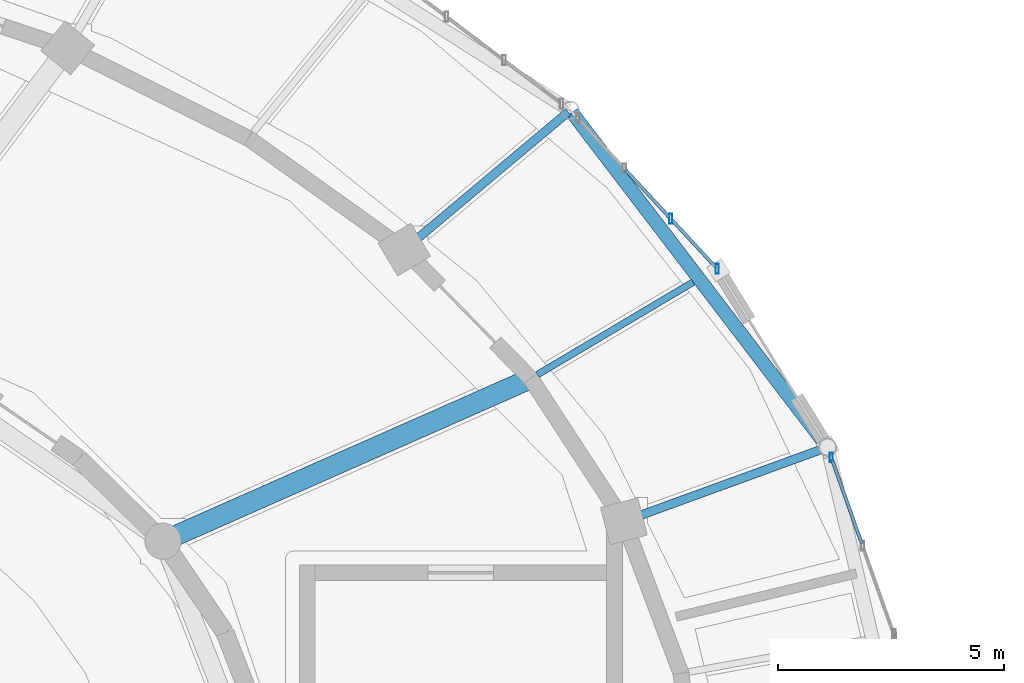
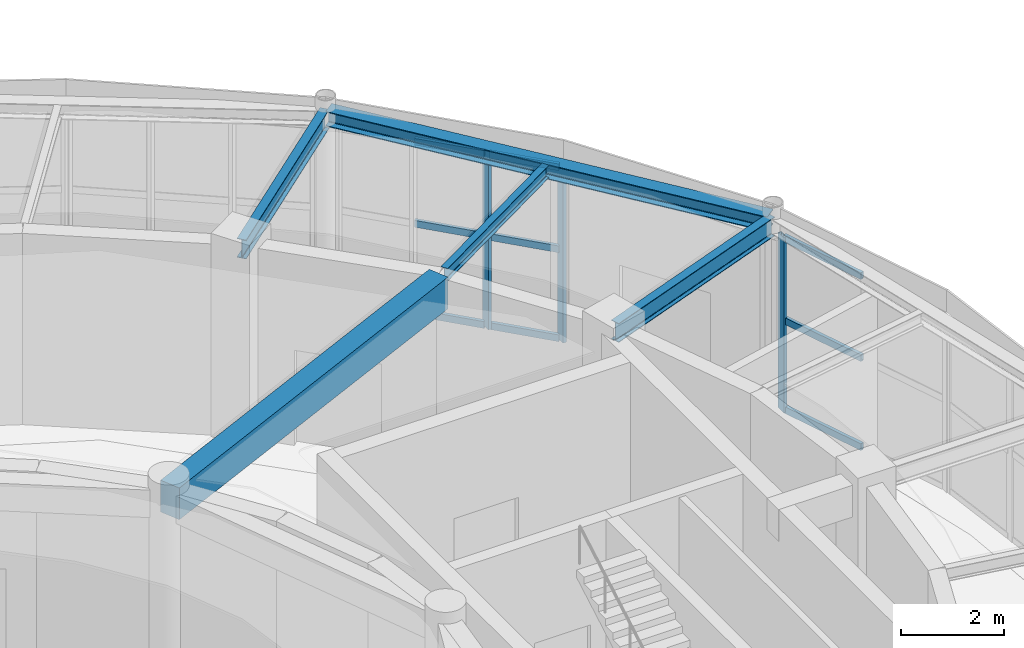
# One storey, part 47 of 108: 12 members, 5 beams, 2 elements without a shape of their own.
"""IFC4 building model written with IfcOpenShell, lengths in metres."""

from ifc_helpers import new_model, si_unit, direction, frame, origin, origin_2d, place, context, subcontext, project, spatial, rectangle, hollow_rectangle, i_section, extrude, material, material_profile, profile_set, type_object, element, aggregate, save


model = new_model("IFC4")

# Units and contexts
model_context = context("Model", 3, precision=1e-05, world=origin(), true_north=direction((0.0, 1.0)))
body_context = subcontext(model_context, "Body", "Model", "MODEL_VIEW")
ifc_project = project(units=[si_unit("LENGTHUNIT", "METRE"), si_unit("AREAUNIT", "SQUARE_METRE"), si_unit("VOLUMEUNIT", "CUBIC_METRE"), si_unit("PLANEANGLEUNIT", "RADIAN"), si_unit("MASSUNIT", "GRAM", prefix="KILO")], contexts=[model_context])

# Site, building, storey
site_placement = place(None, origin())
site = spatial("IfcSite", under=ifc_project, at=site_placement, CompositionType="ELEMENT")
building_placement = place(site_placement, origin())
building = spatial("IfcBuilding", under=site, at=building_placement, Name="Tarnveldt Headland Concert Hall", CompositionType="ELEMENT")
storey_placement = place(building_placement, origin())
storey = spatial("IfcBuildingStorey", under=building, at=storey_placement, Name="L00", CompositionType="ELEMENT", Elevation=0.0)

# Beam
ifc_material_1 = material(Name="Concrete C40/50", Category="concrete")
ifc_material_profile_1 = material_profile(ifc_material_1, rectangle(XDim=0.449951171875, YDim=0.75, at=origin_2d()), Name="RC 450x750", Category="concrete")
ifc_profile_set_1 = profile_set([ifc_material_profile_1], Name="Concrete C40/50")
beam_type_1 = type_object("IfcBeamType", Name="CB-450x750", PredefinedType="BEAM", material=ifc_profile_set_1)
beam_1_placement = place(storey_placement, frame((99.644775390625, 60.916259765625, 4.14501953125), z_axis=(0.91456211397, 0.404445471839, 0.0), x_axis=(-0.404445471839, 0.91456211397, 0.0)))
element("IfcBeam", 1, at=beam_1_placement, inside=storey, type_object=beam_type_1, Name="Framing beam L00-402", PredefinedType="BEAM", context=body_context, shape_type="SweptSolid", body=[
    extrude(rectangle(XDim=0.449951171875, YDim=0.75, at=origin_2d()), origin(), (0.0, 0.0, 1.0), 8.821044921875),
])

# Curtain wall, member
ifc_material_2 = material(Name="Marine-anodised aluminium EN AW-6063-T6", Category="aluminium")
curtain_wall_type = type_object("IfcCurtainWallType", Name="CW-F1", PredefinedType="NOTDEFINED", material=ifc_material_2)
curtain_wall_1_placement = place(storey_placement, origin())
curtain_wall_1 = element("IfcCurtainWall", 2, at=curtain_wall_1_placement, inside=storey, type_object=curtain_wall_type, Name="Curtain wall CW-L00-002", PredefinedType="NOTDEFINED")
ifc_material_profile_2 = material_profile(ifc_material_2, hollow_rectangle(XDim=0.074951171875, YDim=0.219970703125, WallThickness=0.0048828125, at=origin_2d()), Name="ALU MULLION 75x220x5", Category="aluminium")
ifc_profile_set_2 = profile_set([ifc_material_profile_2], Name="Marine-anodised aluminium EN AW-6063-T6")
member_type_1 = type_object("IfcMemberType", Name="ML-200", PredefinedType="MULLION", material=ifc_profile_set_2)
member_1_placement = place(storey_placement, frame((114.403076171875, 62.7529296875, 0.0), z_axis=(0.0, 0.0, 1.0), x_axis=(1.0, 0.0, 0.0)))
member_1 = element("IfcMember", 3, at=member_1_placement, type_object=member_type_1, Name="Mullion CW-L00-002-3", PredefinedType="MULLION", context=body_context, shape_type="SweptSolid", body=[
    extrude(hollow_rectangle(XDim=0.074951171875, YDim=0.219970703125, WallThickness=0.0048828125, at=origin_2d()), origin(), (0.0, 0.0, 1.0), 4.139892578125),
])

# Curtain wall, members
curtain_wall_2_placement = place(storey_placement, origin())
curtain_wall_2 = element("IfcCurtainWall", 4, at=curtain_wall_2_placement, inside=storey, type_object=curtain_wall_type, Name="Curtain wall CW-L00-003", PredefinedType="NOTDEFINED")
member_2_placement = place(storey_placement, frame((111.87841796875, 66.92919921875, 0.0), z_axis=(0.0, 0.0, 1.0), x_axis=(1.0, 0.0, 0.0)))
member_2 = element("IfcMember", 5, at=member_2_placement, type_object=member_type_1, Name="Mullion CW-L00-003-1", PredefinedType="MULLION", context=body_context, shape_type="SweptSolid", body=[
    extrude(hollow_rectangle(XDim=0.074951171875, YDim=0.219970703125, WallThickness=0.0048828125, at=origin_2d()), origin(), (0.0, 0.0, 1.0), 4.139892578125),
])
member_3_placement = place(storey_placement, frame((110.849365234375, 68.040283203125, 0.0), z_axis=(0.0, 0.0, 1.0), x_axis=(1.0, 0.0, 0.0)))
member_3 = element("IfcMember", 6, at=member_3_placement, type_object=member_type_1, Name="Mullion CW-L00-003-2", PredefinedType="MULLION", context=body_context, shape_type="SweptSolid", body=[
    extrude(hollow_rectangle(XDim=0.074951171875, YDim=0.219970703125, WallThickness=0.0048828125, at=origin_2d()), origin(), (0.0, 0.0, 1.0), 4.139892578125),
])

# Beams
ifc_material_3 = material(Name="Steel S355", Category="steel")
ifc_material_profile_3 = material_profile(ifc_material_3, i_section(OverallWidth=0.300048828125, OverallDepth=0.35009765625, WebThickness=0.010009765625, FlangeThickness=0.017578125, FilletRadius=0.027099609375, at=origin_2d()), Name="HEA360", Category="steel")
ifc_profile_set_3 = profile_set([ifc_material_profile_3], Name="Steel S355")
beam_type_2 = type_object("IfcBeamType", Name="SB-HEA360", PredefinedType="SPANDREL", material=ifc_profile_set_3)
beam_2_placement = place(storey_placement, frame((114.285400390625, 63.02978515625, 4.344970703125), z_axis=(-0.606896353007, 0.794780986629, 0.0), x_axis=(-0.794780986629, -0.606896353007, 0.0)))
element("IfcBeam", 7, at=beam_2_placement, inside=storey, type_object=beam_type_2, Name="Framing beam L00-350", PredefinedType="SPANDREL", context=body_context, shape_type="SweptSolid", body=[
    extrude(i_section(OverallWidth=0.300048828125, OverallDepth=0.35009765625, WebThickness=0.010009765625, FlangeThickness=0.017578125, FilletRadius=0.027099609375, at=origin_2d()), origin(), (0.0, 0.0, 1.0), 9.264892578125),
])
ifc_material_profile_4 = material_profile(ifc_material_3, i_section(OverallWidth=0.14990234375, OverallDepth=0.300048828125, WebThickness=0.007080078125, FlangeThickness=0.0107421875, FilletRadius=0.014892578125, at=origin_2d()), Name="IPE300", Category="steel")
ifc_profile_set_4 = profile_set([ifc_material_profile_4], Name="Steel S355")
beam_type_3 = type_object("IfcBeamType", Name="SB-IPE300", PredefinedType="JOIST", material=ifc_profile_set_4)
beam_3_placement = place(storey_placement, frame((107.899169921875, 64.58935546875, 4.3701171875), z_axis=(0.859902377377, 0.510458520726, 0.0), x_axis=(-0.510458520726, 0.859902377377, 0.0)))
element("IfcBeam", 8, at=beam_3_placement, inside=storey, type_object=beam_type_3, Name="Framing beam L00-352", PredefinedType="JOIST", context=body_context, shape_type="SweptSolid", body=[
    extrude(i_section(OverallWidth=0.14990234375, OverallDepth=0.300048828125, WebThickness=0.007080078125, FlangeThickness=0.0107421875, FilletRadius=0.014892578125, at=origin_2d()), origin(), (0.0, 0.0, 1.0), 4.007568359375),
])
ifc_material_profile_5 = material_profile(ifc_material_3, i_section(OverallWidth=0.18994140625, OverallDepth=0.449951171875, WebThickness=0.009521484375, FlangeThickness=0.0146484375, FilletRadius=0.02099609375, at=origin_2d()), Name="IPE450", Category="steel")
ifc_profile_set_5 = profile_set([ifc_material_profile_5], Name="Steel S355")
beam_type_4 = type_object("IfcBeamType", Name="SB-IPE450", PredefinedType="BEAM", material=ifc_profile_set_5)
beam_4_placement = place(storey_placement, frame((109.84912109375, 61.35400390625, 4.294921875), z_axis=(0.939673545823, 0.34207254681, 0.0), x_axis=(-0.34207254681, 0.939673545823, 0.0)))
element("IfcBeam", 9, at=beam_4_placement, inside=storey, type_object=beam_type_4, Name="Framing beam L00-351", PredefinedType="BEAM", context=body_context, shape_type="SweptSolid", body=[
    extrude(i_section(OverallWidth=0.18994140625, OverallDepth=0.449951171875, WebThickness=0.009521484375, FlangeThickness=0.0146484375, FilletRadius=0.02099609375, at=origin_2d()), origin(), (0.0, 0.0, 1.0), 4.69970703125),
])
beam_5_placement = place(storey_placement, frame((104.979736328125, 67.381591796875, 4.294921875), z_axis=(0.76607107782, 0.642755866351, 0.0), x_axis=(-0.642755866351, 0.76607107782, 0.0)))
element("IfcBeam", 10, at=beam_5_placement, inside=storey, type_object=beam_type_4, Name="Framing beam L00-354", PredefinedType="BEAM", context=body_context, shape_type="SweptSolid", body=[
    extrude(i_section(OverallWidth=0.18994140625, OverallDepth=0.449951171875, WebThickness=0.009521484375, FlangeThickness=0.0146484375, FilletRadius=0.02099609375, at=origin_2d()), origin(), (0.0, 0.0, 1.0), 4.699951171875),
])

# Member
ifc_material_profile_6 = material_profile(ifc_material_2, hollow_rectangle(XDim=0.074951171875, YDim=0.159912109375, WallThickness=0.00390625, at=origin_2d()), Name="ALU TRANSOM 75x160x4", Category="aluminium")
ifc_profile_set_6 = profile_set([ifc_material_profile_6], Name="Marine-anodised aluminium EN AW-6063-T6")
member_type_2 = type_object("IfcMemberType", Name="TR-160", PredefinedType="MEMBER", material=ifc_profile_set_6)
member_4_placement = place(storey_placement, frame((115.0791015625, 60.84521484375, 0.050048828125), z_axis=(-0.333977607749, 0.942581008467, 0.0), x_axis=(-0.942581008467, -0.333977607749, 0.0)))
member_4 = element("IfcMember", 11, at=member_4_placement, type_object=member_type_2, Name="Transom CW-L00-002-2-1", PredefinedType="MEMBER", context=body_context, shape_type="SweptSolid", body=[
    extrude(hollow_rectangle(XDim=0.074951171875, YDim=0.159912109375, WallThickness=0.00390625, at=origin_2d()), origin(), (0.0, 0.0, 1.0), 1.974365234375),
])

member_5_placement = place(storey_placement, frame((115.0791015625, 60.84521484375, 2.15283203125), z_axis=(-0.333977607749, 0.942581008467, 0.0), x_axis=(-0.942581008467, -0.333977607749, 0.0)))
member_5 = element("IfcMember", 12, at=member_5_placement, type_object=member_type_2, Name="Transom CW-L00-002-2-2", PredefinedType="MEMBER", context=body_context, shape_type="SweptSolid", body=[
    extrude(hollow_rectangle(XDim=0.074951171875, YDim=0.159912109375, WallThickness=0.00390625, at=origin_2d()), origin(), (0.0, 0.0, 1.0), 1.974365234375),
])

member_6_placement = place(storey_placement, frame((115.0791015625, 60.84521484375, 4.090087890625), z_axis=(-0.333977607749, 0.942581008467, 0.0), x_axis=(-0.942581008467, -0.333977607749, 0.0)))
member_6 = element("IfcMember", 13, at=member_6_placement, type_object=member_type_2, Name="Transom CW-L00-002-2-3", PredefinedType="MEMBER", context=body_context, shape_type="SweptSolid", body=[
    extrude(hollow_rectangle(XDim=0.074951171875, YDim=0.159912109375, WallThickness=0.00390625, at=origin_2d()), origin(), (0.0, 0.0, 1.0), 1.974365234375),
])

aggregate(curtain_wall_1, [member_1, member_4, member_5, member_6])

member_7_placement = place(storey_placement, frame((111.8447265625, 66.965576171875, 0.050048828125), z_axis=(-0.679418349957, 0.733751119755, 0.0), x_axis=(-0.733751119755, -0.679418349957, 0.0)))
member_7 = element("IfcMember", 14, at=member_7_placement, type_object=member_type_2, Name="Transom CW-L00-003-1-1", PredefinedType="MEMBER", context=body_context, shape_type="SweptSolid", body=[
    extrude(hollow_rectangle(XDim=0.074951171875, YDim=0.159912109375, WallThickness=0.00390625, at=origin_2d()), origin(), (0.0, 0.0, 1.0), 1.41552734375),
])

member_8_placement = place(storey_placement, frame((111.8447265625, 66.965576171875, 2.15283203125), z_axis=(-0.679418349957, 0.733751119755, 0.0), x_axis=(-0.733751119755, -0.679418349957, 0.0)))
member_8 = element("IfcMember", 15, at=member_8_placement, type_object=member_type_2, Name="Transom CW-L00-003-1-2", PredefinedType="MEMBER", context=body_context, shape_type="SweptSolid", body=[
    extrude(hollow_rectangle(XDim=0.074951171875, YDim=0.159912109375, WallThickness=0.00390625, at=origin_2d()), origin(), (0.0, 0.0, 1.0), 1.41552734375),
])

member_9_placement = place(storey_placement, frame((111.8447265625, 66.965576171875, 4.090087890625), z_axis=(-0.679418349957, 0.733751119755, 0.0), x_axis=(-0.733751119755, -0.679418349957, 0.0)))
member_9 = element("IfcMember", 16, at=member_9_placement, type_object=member_type_2, Name="Transom CW-L00-003-1-3", PredefinedType="MEMBER", context=body_context, shape_type="SweptSolid", body=[
    extrude(hollow_rectangle(XDim=0.074951171875, YDim=0.159912109375, WallThickness=0.00390625, at=origin_2d()), origin(), (0.0, 0.0, 1.0), 1.41552734375),
])

member_10_placement = place(storey_placement, frame((110.81591796875, 68.076904296875, 0.050048828125), z_axis=(-0.679597183655, 0.733585487839, 0.0), x_axis=(-0.733585487839, -0.679597183655, 0.0)))
member_10 = element("IfcMember", 17, at=member_10_placement, type_object=member_type_2, Name="Transom CW-L00-003-2-1", PredefinedType="MEMBER", context=body_context, shape_type="SweptSolid", body=[
    extrude(hollow_rectangle(XDim=0.074951171875, YDim=0.159912109375, WallThickness=0.00390625, at=origin_2d()), origin(), (0.0, 0.0, 1.0), 1.41552734375),
])

member_11_placement = place(storey_placement, frame((110.81591796875, 68.076904296875, 2.15283203125), z_axis=(-0.679597183655, 0.733585487839, 0.0), x_axis=(-0.733585487839, -0.679597183655, 0.0)))
member_11 = element("IfcMember", 18, at=member_11_placement, type_object=member_type_2, Name="Transom CW-L00-003-2-2", PredefinedType="MEMBER", context=body_context, shape_type="SweptSolid", body=[
    extrude(hollow_rectangle(XDim=0.074951171875, YDim=0.159912109375, WallThickness=0.00390625, at=origin_2d()), origin(), (0.0, 0.0, 1.0), 1.41552734375),
])

member_12_placement = place(storey_placement, frame((110.81591796875, 68.076904296875, 4.090087890625), z_axis=(-0.679597183655, 0.733585487839, 0.0), x_axis=(-0.733585487839, -0.679597183655, 0.0)))
member_12 = element("IfcMember", 19, at=member_12_placement, type_object=member_type_2, Name="Transom CW-L00-003-2-3", PredefinedType="MEMBER", context=body_context, shape_type="SweptSolid", body=[
    extrude(hollow_rectangle(XDim=0.074951171875, YDim=0.159912109375, WallThickness=0.00390625, at=origin_2d()), origin(), (0.0, 0.0, 1.0), 1.41552734375),
])

aggregate(curtain_wall_2, [member_2, member_3, member_7, member_8, member_9, member_10, member_11, member_12])

save(model, "model.ifc")
